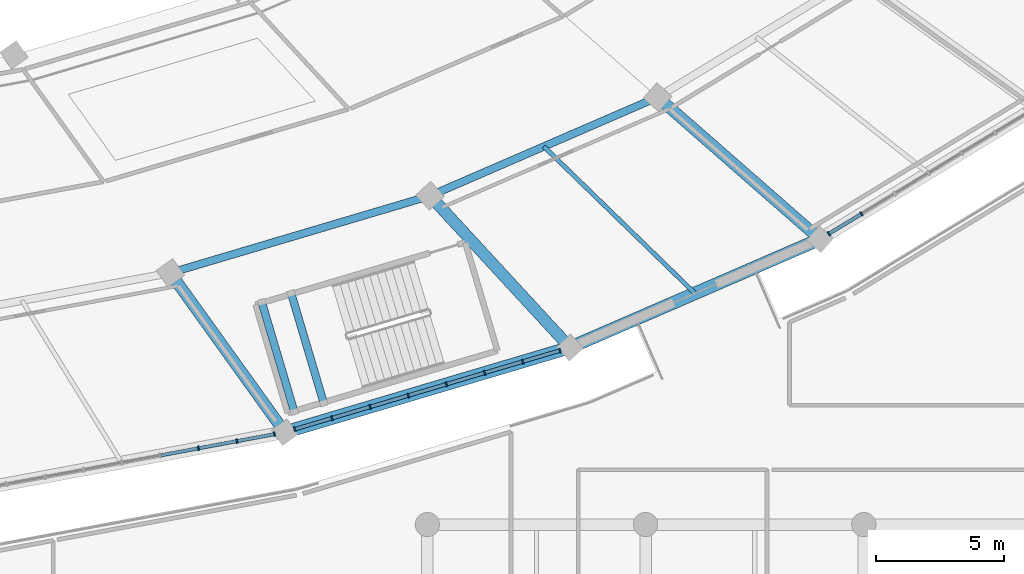
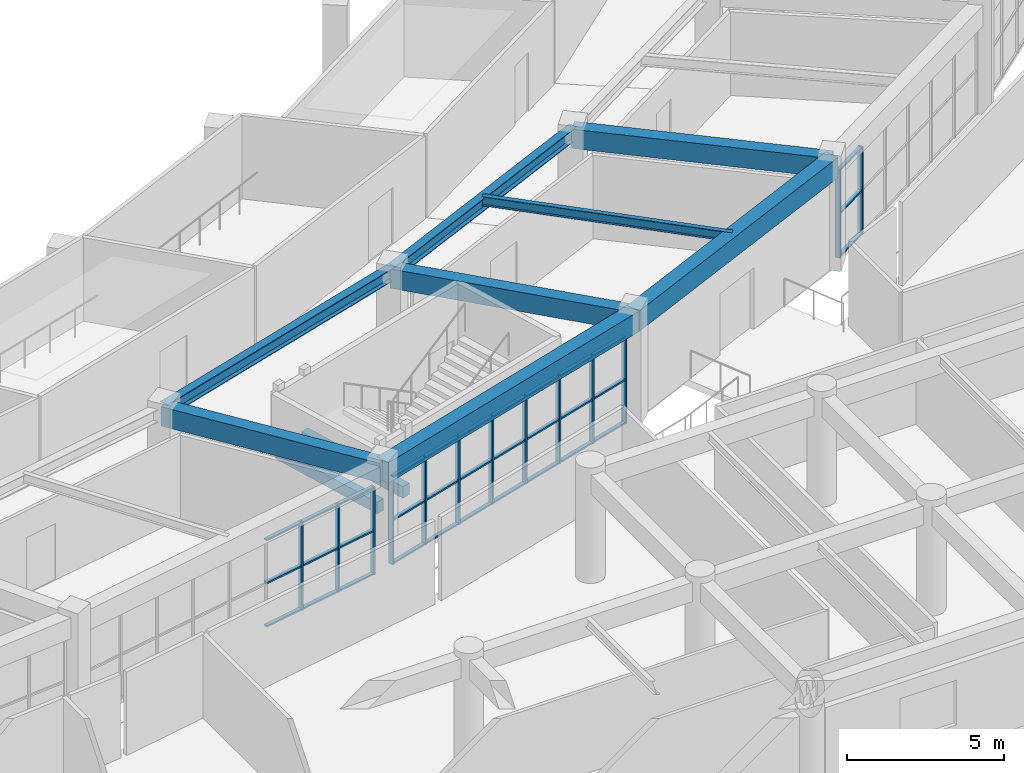
# One storey, part 35 of 141: 46 members, 10 beams, 3 elements without a shape of their own.
"""IFC4 building model written with IfcOpenShell, lengths in metres."""

from ifc_helpers import new_model, si_unit, direction, frame, origin, origin_2d, place, context, subcontext, project, spatial, rectangle, i_section, extrude, material, layer, layer_set, material_profile, profile_set, type_object, element, aggregate, save


model = new_model("IFC4")

# Units and contexts
model_context = context("Model", 3, precision=1e-05, world=origin(), true_north=direction((0.0, 1.0)))
body_context = subcontext(model_context, "Body", "Model", "MODEL_VIEW")
ifc_project = project(units=[si_unit("LENGTHUNIT", "METRE"), si_unit("AREAUNIT", "SQUARE_METRE"), si_unit("VOLUMEUNIT", "CUBIC_METRE"), si_unit("PLANEANGLEUNIT", "RADIAN"), si_unit("MASSUNIT", "GRAM", prefix="KILO")], contexts=[model_context])

# Site, building, storey
site_placement = place(None, origin())
site = spatial("IfcSite", under=ifc_project, at=site_placement, CompositionType="ELEMENT")
building_placement = place(site_placement, origin())
building = spatial("IfcBuilding", under=site, at=building_placement, Name="Mphavela Belvedere Stadium", CompositionType="ELEMENT")
storey_placement = place(building_placement, frame((0.0, 0.0, 14.699951171875)))
storey = spatial("IfcBuildingStorey", under=building, at=storey_placement, Name="L03", CompositionType="ELEMENT", Elevation=14.699951171875)

# Beams
ifc_material_1 = material(Name="Steel S355", Category="steel")
ifc_material_profile_1 = material_profile(ifc_material_1, i_section(OverallWidth=0.169921875, OverallDepth=0.360107421875, WebThickness=0.008056640625, FlangeThickness=0.0126953125, at=origin_2d()), Name="IPE 360")
ifc_profile_set_1 = profile_set([ifc_material_profile_1], Name="Steel S355")
beam_type_1 = type_object("IfcBeamType", Name="BM-JOIST-IPE360", PredefinedType="JOIST", material=ifc_profile_set_1)
beam_1_placement = place(storey_placement, frame((174.918212890625, 28.757568359375, 4.070068359375), z_axis=(0.717067022089, -0.697004222249, 0.0), x_axis=(0.697004222249, 0.717067022089, 0.0)))
element("IfcBeam", 1, at=beam_1_placement, inside=storey, type_object=beam_type_1, Name="Concourse floor joist L03-41", PredefinedType="JOIST", context=body_context, shape_type="SweptSolid", body=[
    extrude(i_section(OverallWidth=0.169921875, OverallDepth=0.360107421875, WebThickness=0.008056640625, FlangeThickness=0.0126953125, at=origin_2d()), origin(), (0.0, 0.0, 1.0), 8.22607421875),
])
ifc_material_2 = material(Name="Concrete C40/50", Category="concrete")
ifc_material_profile_2 = material_profile(ifc_material_2, rectangle(XDim=0.300048828125, YDim=0.449951171875, at=origin_2d()), Name="RC 300x450")
ifc_profile_set_2 = profile_set([ifc_material_profile_2], Name="Concrete C40/50")
beam_type_2 = type_object("IfcBeamType", Name="BM-RC300x450", PredefinedType="BEAM", material=ifc_profile_set_2)
beam_2_placement = place(storey_placement, frame((165.05419921875, 23.027099609375, 1.824951171875), z_axis=(0.284510445837, -0.958672940168, 0.0), x_axis=(0.958672940168, 0.284510445837, 0.0)))
element("IfcBeam", 2, at=beam_2_placement, inside=storey, type_object=beam_type_2, Name="Core P04 landing trimmer beam L03-1", PredefinedType="BEAM", context=body_context, shape_type="SweptSolid", body=[
    extrude(rectangle(XDim=0.300048828125, YDim=0.449951171875, at=origin_2d()), origin(), (0.0, 0.0, 1.0), 4.469970703125),
])
beam_3_placement = place(storey_placement, frame((163.90380859375, 22.685791015625, 1.824951171875), z_axis=(0.284495549112, -0.958677361022, 0.0), x_axis=(0.958677361022, 0.284495549112, 0.0)))
element("IfcBeam", 3, at=beam_3_placement, inside=storey, type_object=beam_type_2, Name="Core P04 landing trimmer beam L03-2", PredefinedType="BEAM", context=body_context, shape_type="SweptSolid", body=[
    extrude(rectangle(XDim=0.300048828125, YDim=0.449951171875, at=origin_2d()), origin(), (0.0, 0.0, 1.0), 4.47021484375),
])
ifc_material_3 = material(Name="Concrete C40/50", Category="concrete")
ifc_material_profile_3 = material_profile(ifc_material_3, rectangle(XDim=0.449951171875, YDim=0.75, at=origin_2d()), Name="RC 450x750")
ifc_profile_set_3 = profile_set([ifc_material_profile_3], Name="Concrete C40/50")
beam_type_3 = type_object("IfcBeamType", Name="BM-RC450x750", PredefinedType="BEAM", material=ifc_profile_set_3)
beam_4_placement = place(storey_placement, frame((160.337890625, 23.822509765625, 3.875), z_axis=(0.583043812448, -0.812440713385, 0.0), x_axis=(0.812440713385, 0.583043812448, 0.0)))
element("IfcBeam", 4, at=beam_4_placement, inside=storey, type_object=beam_type_3, Name="Radial concourse girder L03 R3R4-40", PredefinedType="BEAM", context=body_context, shape_type="SweptSolid", body=[
    extrude(rectangle(XDim=0.449951171875, YDim=0.75, at=origin_2d()), origin(), (0.0, 0.0, 1.0), 7.6552734375),
])
beam_5_placement = place(storey_placement, frame((170.476318359375, 26.83203125, 3.875), z_axis=(0.67784325477, -0.735206448532, 0.0), x_axis=(0.735206448532, 0.67784325477, 0.0)))
element("IfcBeam", 5, at=beam_5_placement, inside=storey, type_object=beam_type_3, Name="Radial concourse girder L03 R3R4-41", PredefinedType="BEAM", context=body_context, shape_type="SweptSolid", body=[
    extrude(rectangle(XDim=0.449951171875, YDim=0.75, at=origin_2d()), origin(), (0.0, 0.0, 1.0), 8.056640625),
])
beam_6_placement = place(storey_placement, frame((179.360107421875, 30.68310546875, 3.875), z_axis=(0.752589268993, -0.658490236978, 0.0), x_axis=(0.658490236978, 0.752589268993, 0.0)))
element("IfcBeam", 6, at=beam_6_placement, inside=storey, type_object=beam_type_3, Name="Radial concourse girder L03 R3R4-42", PredefinedType="BEAM", context=body_context, shape_type="SweptSolid", body=[
    extrude(rectangle(XDim=0.449951171875, YDim=0.75, at=origin_2d()), origin(), (0.0, 0.0, 1.0), 8.419189453125),
])
ifc_material_4 = material(Name="Concrete C40/50", Category="concrete")
ifc_material_profile_4 = material_profile(ifc_material_4, rectangle(XDim=0.5, YDim=0.800048828125, at=origin_2d()), Name="RC 500x800")
ifc_profile_set_4 = profile_set([ifc_material_profile_4], Name="Concrete C40/50")
beam_type_4 = type_object("IfcBeamType", Name="BM-SPANDREL-800", PredefinedType="SPANDREL", material=ifc_profile_set_4)
beam_7_placement = place(storey_placement, frame((164.80126953125, 17.60302734375, 3.85009765625), z_axis=(0.958656362639, 0.284566298727, 0.0), x_axis=(-0.284566298727, 0.958656362639, 0.0)))
element("IfcBeam", 7, at=beam_7_placement, inside=storey, type_object=beam_type_4, Name="Circumferential girder L03 R4-40", PredefinedType="SPANDREL", context=body_context, shape_type="SweptSolid", body=[
    extrude(rectangle(XDim=0.5, YDim=0.800048828125, at=origin_2d()), origin(), (0.0, 0.0, 1.0), 11.616455078125),
])
beam_8_placement = place(storey_placement, frame((175.9375, 20.90869140625, 3.85009765625), z_axis=(0.91749867224, 0.397738842004, 0.0), x_axis=(-0.397738842004, 0.91749867224, 0.0)))
element("IfcBeam", 8, at=beam_8_placement, inside=storey, type_object=beam_type_4, Name="Circumferential girder L03 R4-41", PredefinedType="SPANDREL", context=body_context, shape_type="SweptSolid", body=[
    extrude(rectangle(XDim=0.5, YDim=0.800048828125, at=origin_2d()), origin(), (0.0, 0.0, 1.0), 10.63623046875),
])
ifc_material_5 = material(Name="Steel S355", Category="steel")
ifc_material_profile_5 = material_profile(ifc_material_5, i_section(OverallWidth=0.300048828125, OverallDepth=0.489990234375, WebThickness=0.011962890625, FlangeThickness=0.02294921875, at=origin_2d()), Name="HEA 500")
ifc_profile_set_5 = profile_set([ifc_material_profile_5], Name="Steel S355")
beam_type_5 = type_object("IfcBeamType", Name="BM-STEEL-HEA500", PredefinedType="BEAM", material=ifc_profile_set_5)
beam_9_placement = place(storey_placement, frame((160.337890625, 23.822509765625, 4.005126953125), z_axis=(0.958655230784, 0.284570111731, 0.0), x_axis=(-0.284570111731, 0.958655230784, 0.0)))
element("IfcBeam", 9, at=beam_9_placement, inside=storey, type_object=beam_type_5, Name="Circumferential girder L03 R3-40", PredefinedType="BEAM", context=body_context, shape_type="SweptSolid", body=[
    extrude(i_section(OverallWidth=0.300048828125, OverallDepth=0.489990234375, WebThickness=0.011962890625, FlangeThickness=0.02294921875, at=origin_2d()), origin(), (0.0, 0.0, 1.0), 10.57568359375),
])
beam_10_placement = place(storey_placement, frame((170.476318359375, 26.83203125, 4.005126953125), z_axis=(0.917501650019, 0.397731972832, 0.0), x_axis=(-0.397731972832, 0.917501650019, 0.0)))
element("IfcBeam", 10, at=beam_10_placement, inside=storey, type_object=beam_type_5, Name="Circumferential girder L03 R3-41", PredefinedType="BEAM", context=body_context, shape_type="SweptSolid", body=[
    extrude(i_section(OverallWidth=0.300048828125, OverallDepth=0.489990234375, WebThickness=0.011962890625, FlangeThickness=0.02294921875, at=origin_2d()), origin(), (0.0, 0.0, 1.0), 9.6826171875),
])

# Curtain wall, members
ifc_material_6 = material(Name="Anodised bronze unitised curtain wall framing")
ifc_layer_1 = layer(ifc_material_6, 0.18994140625)
ifc_layer_set_1 = layer_set([ifc_layer_1], Name="Anodised bronze unitised curtain wall framing")
curtain_wall_type_1 = type_object("IfcCurtainWallType", Name="CW-UNIT-03", PredefinedType="USERDEFINED", material=ifc_layer_set_1)
curtain_wall_1_placement = place(storey_placement, origin())
curtain_wall_1 = element("IfcCurtainWall", 11, at=curtain_wall_1_placement, inside=storey, type_object=curtain_wall_type_1, Name="Belvedere colonnade curtain wall L03-39", ObjectType="UNITISED CURTAIN WALL", PredefinedType="USERDEFINED")
ifc_material_7 = material(Name="Anodised bronze extruded aluminium", Category="aluminium")
ifc_material_profile_6 = material_profile(ifc_material_7, rectangle(XDim=0.179931640625, YDim=0.06494140625, at=origin_2d()), Name="CW-MUL 180x65")
ifc_profile_set_6 = profile_set([ifc_material_profile_6], Name="Anodised bronze extruded aluminium")
member_type_1 = type_object("IfcMemberType", Name="CWM-180x65", PredefinedType="MULLION", material=ifc_profile_set_6)
member_1_placement = place(storey_placement, frame((161.435791015625, 16.976318359375, 0.0), z_axis=(0.0, 0.0, 1.0), x_axis=(-0.18308790129, 0.983096546836, 0.0)))
member_1 = element("IfcMember", 12, at=member_1_placement, type_object=member_type_1, Name="CW-03 mullion 7", PredefinedType="MULLION", context=body_context, shape_type="SweptSolid", body=[
    extrude(rectangle(XDim=0.179931640625, YDim=0.06494140625, at=origin_2d()), origin(), (0.0, 0.0, 1.0), 3.420166015625),
])
member_2_placement = place(storey_placement, frame((162.93505859375, 17.255615234375, 0.0), z_axis=(0.0, 0.0, 1.0), x_axis=(-0.18308790129, 0.983096546836, 0.0)))
member_2 = element("IfcMember", 13, at=member_2_placement, type_object=member_type_1, Name="CW-03 mullion 8", PredefinedType="MULLION", context=body_context, shape_type="SweptSolid", body=[
    extrude(rectangle(XDim=0.179931640625, YDim=0.06494140625, at=origin_2d()), origin(), (0.0, 0.0, 1.0), 3.420166015625),
])
member_3_placement = place(storey_placement, frame((164.402587890625, 17.52880859375, 0.0), z_axis=(0.0, 0.0, 1.0), x_axis=(-0.18308790129, 0.983096546836, 0.0)))
member_3 = element("IfcMember", 14, at=member_3_placement, type_object=member_type_1, Name="CW-03 mullion 9", PredefinedType="MULLION", context=body_context, shape_type="SweptSolid", body=[
    extrude(rectangle(XDim=0.179931640625, YDim=0.06494140625, at=origin_2d()), origin(), (0.0, 0.0, 1.0), 3.420166015625),
])

ifc_material_8 = material(Name="Anodised bronze unitised curtain wall framing")
ifc_layer_2 = layer(ifc_material_8, 0.195068359375)
ifc_layer_set_2 = layer_set([ifc_layer_2], Name="Anodised bronze unitised curtain wall framing")
curtain_wall_type_2 = type_object("IfcCurtainWallType", Name="CW-UNIT-04", PredefinedType="USERDEFINED", material=ifc_layer_set_2)
curtain_wall_2_placement = place(storey_placement, origin())
curtain_wall_2 = element("IfcCurtainWall", 15, at=curtain_wall_2_placement, inside=storey, type_object=curtain_wall_type_2, Name="Belvedere colonnade curtain wall L03-40", ObjectType="UNITISED CURTAIN WALL", PredefinedType="USERDEFINED")
member_4_placement = place(storey_placement, frame((165.18994140625, 17.718505859375, 0.0), z_axis=(0.0, 0.0, 1.0), x_axis=(-0.284565000591, 0.958656747975, 0.0)))
member_4 = element("IfcMember", 16, at=member_4_placement, type_object=member_type_1, Name="CW-04 mullion 1", PredefinedType="MULLION", context=body_context, shape_type="SweptSolid", body=[
    extrude(rectangle(XDim=0.179931640625, YDim=0.06494140625, at=origin_2d()), origin(), (0.0, 0.0, 1.0), 3.420166015625),
])
member_5_placement = place(storey_placement, frame((166.6474609375, 18.151123046875, 0.0), z_axis=(0.0, 0.0, 1.0), x_axis=(-0.284565000591, 0.958656747975, 0.0)))
member_5 = element("IfcMember", 17, at=member_5_placement, type_object=member_type_1, Name="CW-04 mullion 2", PredefinedType="MULLION", context=body_context, shape_type="SweptSolid", body=[
    extrude(rectangle(XDim=0.179931640625, YDim=0.06494140625, at=origin_2d()), origin(), (0.0, 0.0, 1.0), 3.420166015625),
])
member_6_placement = place(storey_placement, frame((168.13623046875, 18.593017578125, 0.0), z_axis=(0.0, 0.0, 1.0), x_axis=(-0.284565000591, 0.958656747975, 0.0)))
member_6 = element("IfcMember", 18, at=member_6_placement, type_object=member_type_1, Name="CW-04 mullion 3", PredefinedType="MULLION", context=body_context, shape_type="SweptSolid", body=[
    extrude(rectangle(XDim=0.179931640625, YDim=0.06494140625, at=origin_2d()), origin(), (0.0, 0.0, 1.0), 3.420166015625),
])
member_7_placement = place(storey_placement, frame((169.625, 19.034912109375, 0.0), z_axis=(0.0, 0.0, 1.0), x_axis=(-0.284565000591, 0.958656747975, 0.0)))
member_7 = element("IfcMember", 19, at=member_7_placement, type_object=member_type_1, Name="CW-04 mullion 4", PredefinedType="MULLION", context=body_context, shape_type="SweptSolid", body=[
    extrude(rectangle(XDim=0.179931640625, YDim=0.06494140625, at=origin_2d()), origin(), (0.0, 0.0, 1.0), 3.420166015625),
])
member_8_placement = place(storey_placement, frame((171.11376953125, 19.476806640625, 0.0), z_axis=(0.0, 0.0, 1.0), x_axis=(-0.284565000591, 0.958656747975, 0.0)))
member_8 = element("IfcMember", 20, at=member_8_placement, type_object=member_type_1, Name="CW-04 mullion 5", PredefinedType="MULLION", context=body_context, shape_type="SweptSolid", body=[
    extrude(rectangle(XDim=0.179931640625, YDim=0.06494140625, at=origin_2d()), origin(), (0.0, 0.0, 1.0), 3.420166015625),
])
member_9_placement = place(storey_placement, frame((172.6025390625, 19.918701171875, 0.0), z_axis=(0.0, 0.0, 1.0), x_axis=(-0.284565000591, 0.958656747975, 0.0)))
member_9 = element("IfcMember", 21, at=member_9_placement, type_object=member_type_1, Name="CW-04 mullion 6", PredefinedType="MULLION", context=body_context, shape_type="SweptSolid", body=[
    extrude(rectangle(XDim=0.179931640625, YDim=0.06494140625, at=origin_2d()), origin(), (0.0, 0.0, 1.0), 3.420166015625),
])
member_10_placement = place(storey_placement, frame((174.09130859375, 20.360595703125, 0.0), z_axis=(0.0, 0.0, 1.0), x_axis=(-0.284565000591, 0.958656747975, 0.0)))
member_10 = element("IfcMember", 22, at=member_10_placement, type_object=member_type_1, Name="CW-04 mullion 7", PredefinedType="MULLION", context=body_context, shape_type="SweptSolid", body=[
    extrude(rectangle(XDim=0.179931640625, YDim=0.06494140625, at=origin_2d()), origin(), (0.0, 0.0, 1.0), 3.420166015625),
])
member_11_placement = place(storey_placement, frame((175.548828125, 20.79345703125, 0.0), z_axis=(0.0, 0.0, 1.0), x_axis=(-0.284565000591, 0.958656747975, 0.0)))
member_11 = element("IfcMember", 23, at=member_11_placement, type_object=member_type_1, Name="CW-04 mullion 8", PredefinedType="MULLION", context=body_context, shape_type="SweptSolid", body=[
    extrude(rectangle(XDim=0.179931640625, YDim=0.06494140625, at=origin_2d()), origin(), (0.0, 0.0, 1.0), 3.420166015625),
])

ifc_material_9 = material(Name="Anodised bronze unitised curtain wall framing")
ifc_layer_3 = layer(ifc_material_9, 0.199951171875)
ifc_layer_set_3 = layer_set([ifc_layer_3], Name="Anodised bronze unitised curtain wall framing")
curtain_wall_type_3 = type_object("IfcCurtainWallType", Name="CW-UNIT-05", PredefinedType="USERDEFINED", material=ifc_layer_set_3)
curtain_wall_3_placement = place(storey_placement, origin())
curtain_wall_3 = element("IfcCurtainWall", 24, at=curtain_wall_3_placement, inside=storey, type_object=curtain_wall_type_3, Name="Belvedere colonnade curtain wall L03-42", ObjectType="UNITISED CURTAIN WALL", PredefinedType="USERDEFINED")
member_12_placement = place(storey_placement, frame((186.042724609375, 25.349853515625, 0.0), z_axis=(0.0, 0.0, 1.0), x_axis=(-0.519738342169, 0.8543254975, 0.0)))
member_12 = element("IfcMember", 25, at=member_12_placement, type_object=member_type_1, Name="CW-05 mullion 1", PredefinedType="MULLION", context=body_context, shape_type="SweptSolid", body=[
    extrude(rectangle(XDim=0.179931640625, YDim=0.06494140625, at=origin_2d()), origin(), (0.0, 0.0, 1.0), 3.420166015625),
])
member_13_placement = place(storey_placement, frame((187.318603515625, 26.126220703125, 0.0), z_axis=(0.0, 0.0, 1.0), x_axis=(-0.519738342169, 0.8543254975, 0.0)))
member_13 = element("IfcMember", 26, at=member_13_placement, type_object=member_type_1, Name="CW-05 mullion 2", PredefinedType="MULLION", context=body_context, shape_type="SweptSolid", body=[
    extrude(rectangle(XDim=0.179931640625, YDim=0.06494140625, at=origin_2d()), origin(), (0.0, 0.0, 1.0), 3.420166015625),
])

# Member
ifc_material_10 = material(Name="Anodised bronze extruded aluminium", Category="aluminium")
ifc_material_profile_7 = material_profile(ifc_material_10, rectangle(XDim=0.139892578125, YDim=0.06005859375, at=origin_2d()), Name="CW-TRN 140x60")
ifc_profile_set_7 = profile_set([ifc_material_profile_7], Name="Anodised bronze extruded aluminium")
member_type_2 = type_object("IfcMemberType", Name="CWT-140x60", PredefinedType="USERDEFINED", material=ifc_profile_set_7)
member_14_placement = place(storey_placement, frame((159.96826171875, 16.703125, 0.030029296875), z_axis=(0.983098571421, 0.183077029882, 0.0), x_axis=(-0.183077029882, 0.983098571421, 0.0)))
member_14 = element("IfcMember", 27, at=member_14_placement, type_object=member_type_2, Name="CW-03 transom 6.1", ObjectType="TRANSOM", PredefinedType="USERDEFINED", context=body_context, shape_type="SweptSolid", body=[
    extrude(rectangle(XDim=0.139892578125, YDim=0.06005859375, at=origin_2d()), origin(), (0.0, 0.0, 1.0), 1.460205078125),
])

member_15_placement = place(storey_placement, frame((159.96826171875, 16.703125, 1.7099609375), z_axis=(0.983098571421, 0.183077029882, 0.0), x_axis=(-0.183077029882, 0.983098571421, 0.0)))
member_15 = element("IfcMember", 28, at=member_15_placement, type_object=member_type_2, Name="CW-03 transom 6.2", ObjectType="TRANSOM", PredefinedType="USERDEFINED", context=body_context, shape_type="SweptSolid", body=[
    extrude(rectangle(XDim=0.139892578125, YDim=0.06005859375, at=origin_2d()), origin(), (0.0, 0.0, 1.0), 1.460205078125),
])

member_16_placement = place(storey_placement, frame((159.96826171875, 16.703125, 3.39013671875), z_axis=(0.983098571421, 0.183077029882, 0.0), x_axis=(-0.183077029882, 0.983098571421, 0.0)))
member_16 = element("IfcMember", 29, at=member_16_placement, type_object=member_type_2, Name="CW-03 transom 6.3", ObjectType="TRANSOM", PredefinedType="USERDEFINED", context=body_context, shape_type="SweptSolid", body=[
    extrude(rectangle(XDim=0.139892578125, YDim=0.06005859375, at=origin_2d()), origin(), (0.0, 0.0, 1.0), 1.460205078125),
])

member_17_placement = place(storey_placement, frame((161.4677734375, 16.982177734375, 0.030029296875), z_axis=(0.983092966177, 0.183107126716, 0.0), x_axis=(-0.183107126716, 0.983092966177, 0.0)))
member_17 = element("IfcMember", 30, at=member_17_placement, type_object=member_type_2, Name="CW-03 transom 7.1", ObjectType="TRANSOM", PredefinedType="USERDEFINED", context=body_context, shape_type="SweptSolid", body=[
    extrude(rectangle(XDim=0.139892578125, YDim=0.06005859375, at=origin_2d()), origin(), (0.0, 0.0, 1.0), 1.4599609375),
])

member_18_placement = place(storey_placement, frame((161.4677734375, 16.982177734375, 1.7099609375), z_axis=(0.983092966177, 0.183107126716, 0.0), x_axis=(-0.183107126716, 0.983092966177, 0.0)))
member_18 = element("IfcMember", 31, at=member_18_placement, type_object=member_type_2, Name="CW-03 transom 7.2", ObjectType="TRANSOM", PredefinedType="USERDEFINED", context=body_context, shape_type="SweptSolid", body=[
    extrude(rectangle(XDim=0.139892578125, YDim=0.06005859375, at=origin_2d()), origin(), (0.0, 0.0, 1.0), 1.4599609375),
])

member_19_placement = place(storey_placement, frame((161.4677734375, 16.982177734375, 3.39013671875), z_axis=(0.983092966177, 0.183107126716, 0.0), x_axis=(-0.183107126716, 0.983092966177, 0.0)))
member_19 = element("IfcMember", 32, at=member_19_placement, type_object=member_type_2, Name="CW-03 transom 7.3", ObjectType="TRANSOM", PredefinedType="USERDEFINED", context=body_context, shape_type="SweptSolid", body=[
    extrude(rectangle(XDim=0.139892578125, YDim=0.06005859375, at=origin_2d()), origin(), (0.0, 0.0, 1.0), 1.4599609375),
])

member_20_placement = place(storey_placement, frame((162.967041015625, 17.261474609375, 0.030029296875), z_axis=(0.983086399659, 0.183142378507, 0.0), x_axis=(-0.183142378507, 0.983086399659, 0.0)))
member_20 = element("IfcMember", 33, at=member_20_placement, type_object=member_type_2, Name="CW-03 transom 8.1", ObjectType="TRANSOM", PredefinedType="USERDEFINED", context=body_context, shape_type="SweptSolid", body=[
    extrude(rectangle(XDim=0.139892578125, YDim=0.06005859375, at=origin_2d()), origin(), (0.0, 0.0, 1.0), 1.427734375),
])

member_21_placement = place(storey_placement, frame((162.967041015625, 17.261474609375, 1.7099609375), z_axis=(0.983086399659, 0.183142378507, 0.0), x_axis=(-0.183142378507, 0.983086399659, 0.0)))
member_21 = element("IfcMember", 34, at=member_21_placement, type_object=member_type_2, Name="CW-03 transom 8.2", ObjectType="TRANSOM", PredefinedType="USERDEFINED", context=body_context, shape_type="SweptSolid", body=[
    extrude(rectangle(XDim=0.139892578125, YDim=0.06005859375, at=origin_2d()), origin(), (0.0, 0.0, 1.0), 1.427734375),
])

member_22_placement = place(storey_placement, frame((162.967041015625, 17.261474609375, 3.39013671875), z_axis=(0.983086399659, 0.183142378507, 0.0), x_axis=(-0.183142378507, 0.983086399659, 0.0)))
member_22 = element("IfcMember", 35, at=member_22_placement, type_object=member_type_2, Name="CW-03 transom 8.3", ObjectType="TRANSOM", PredefinedType="USERDEFINED", context=body_context, shape_type="SweptSolid", body=[
    extrude(rectangle(XDim=0.139892578125, YDim=0.06005859375, at=origin_2d()), origin(), (0.0, 0.0, 1.0), 1.427734375),
])

aggregate(curtain_wall_1, [member_1, member_2, member_3, member_14, member_15, member_16, member_17, member_18, member_19, member_20, member_21, member_22])

member_23_placement = place(storey_placement, frame((165.22119140625, 17.727783203125, 0.030029296875), z_axis=(0.958676180284, 0.284499527867, 0.0), x_axis=(-0.284499527867, 0.958676180284, 0.0)))
member_23 = element("IfcMember", 36, at=member_23_placement, type_object=member_type_2, Name="CW-04 transom 1.1", ObjectType="TRANSOM", PredefinedType="USERDEFINED", context=body_context, shape_type="SweptSolid", body=[
    extrude(rectangle(XDim=0.139892578125, YDim=0.06005859375, at=origin_2d()), origin(), (0.0, 0.0, 1.0), 1.455322265625),
])

member_24_placement = place(storey_placement, frame((165.22119140625, 17.727783203125, 1.7099609375), z_axis=(0.958676180284, 0.284499527867, 0.0), x_axis=(-0.284499527867, 0.958676180284, 0.0)))
member_24 = element("IfcMember", 37, at=member_24_placement, type_object=member_type_2, Name="CW-04 transom 1.2", ObjectType="TRANSOM", PredefinedType="USERDEFINED", context=body_context, shape_type="SweptSolid", body=[
    extrude(rectangle(XDim=0.139892578125, YDim=0.06005859375, at=origin_2d()), origin(), (0.0, 0.0, 1.0), 1.455322265625),
])

member_25_placement = place(storey_placement, frame((165.22119140625, 17.727783203125, 3.39013671875), z_axis=(0.958676180284, 0.284499527867, 0.0), x_axis=(-0.284499527867, 0.958676180284, 0.0)))
member_25 = element("IfcMember", 38, at=member_25_placement, type_object=member_type_2, Name="CW-04 transom 1.3", ObjectType="TRANSOM", PredefinedType="USERDEFINED", context=body_context, shape_type="SweptSolid", body=[
    extrude(rectangle(XDim=0.139892578125, YDim=0.06005859375, at=origin_2d()), origin(), (0.0, 0.0, 1.0), 1.455322265625),
])

member_26_placement = place(storey_placement, frame((166.6787109375, 18.160400390625, 0.030029296875), z_axis=(0.958675538205, 0.284501691468, 0.0), x_axis=(-0.284501691468, 0.958675538205, 0.0)))
member_26 = element("IfcMember", 39, at=member_26_placement, type_object=member_type_2, Name="CW-04 transom 2.1", ObjectType="TRANSOM", PredefinedType="USERDEFINED", context=body_context, shape_type="SweptSolid", body=[
    extrude(rectangle(XDim=0.139892578125, YDim=0.06005859375, at=origin_2d()), origin(), (0.0, 0.0, 1.0), 1.488037109375),
])

member_27_placement = place(storey_placement, frame((166.6787109375, 18.160400390625, 1.7099609375), z_axis=(0.958675538205, 0.284501691468, 0.0), x_axis=(-0.284501691468, 0.958675538205, 0.0)))
member_27 = element("IfcMember", 40, at=member_27_placement, type_object=member_type_2, Name="CW-04 transom 2.2", ObjectType="TRANSOM", PredefinedType="USERDEFINED", context=body_context, shape_type="SweptSolid", body=[
    extrude(rectangle(XDim=0.139892578125, YDim=0.06005859375, at=origin_2d()), origin(), (0.0, 0.0, 1.0), 1.488037109375),
])

member_28_placement = place(storey_placement, frame((166.6787109375, 18.160400390625, 3.39013671875), z_axis=(0.958675538205, 0.284501691468, 0.0), x_axis=(-0.284501691468, 0.958675538205, 0.0)))
member_28 = element("IfcMember", 41, at=member_28_placement, type_object=member_type_2, Name="CW-04 transom 2.3", ObjectType="TRANSOM", PredefinedType="USERDEFINED", context=body_context, shape_type="SweptSolid", body=[
    extrude(rectangle(XDim=0.139892578125, YDim=0.06005859375, at=origin_2d()), origin(), (0.0, 0.0, 1.0), 1.488037109375),
])

member_29_placement = place(storey_placement, frame((168.16748046875, 18.602294921875, 0.030029296875), z_axis=(0.958675538205, 0.284501691468, 0.0), x_axis=(-0.284501691468, 0.958675538205, 0.0)))
member_29 = element("IfcMember", 42, at=member_29_placement, type_object=member_type_2, Name="CW-04 transom 3.1", ObjectType="TRANSOM", PredefinedType="USERDEFINED", context=body_context, shape_type="SweptSolid", body=[
    extrude(rectangle(XDim=0.139892578125, YDim=0.06005859375, at=origin_2d()), origin(), (0.0, 0.0, 1.0), 1.488037109375),
])

member_30_placement = place(storey_placement, frame((168.16748046875, 18.602294921875, 1.7099609375), z_axis=(0.958675538205, 0.284501691468, 0.0), x_axis=(-0.284501691468, 0.958675538205, 0.0)))
member_30 = element("IfcMember", 43, at=member_30_placement, type_object=member_type_2, Name="CW-04 transom 3.2", ObjectType="TRANSOM", PredefinedType="USERDEFINED", context=body_context, shape_type="SweptSolid", body=[
    extrude(rectangle(XDim=0.139892578125, YDim=0.06005859375, at=origin_2d()), origin(), (0.0, 0.0, 1.0), 1.488037109375),
])

member_31_placement = place(storey_placement, frame((168.16748046875, 18.602294921875, 3.39013671875), z_axis=(0.958675538205, 0.284501691468, 0.0), x_axis=(-0.284501691468, 0.958675538205, 0.0)))
member_31 = element("IfcMember", 44, at=member_31_placement, type_object=member_type_2, Name="CW-04 transom 3.3", ObjectType="TRANSOM", PredefinedType="USERDEFINED", context=body_context, shape_type="SweptSolid", body=[
    extrude(rectangle(XDim=0.139892578125, YDim=0.06005859375, at=origin_2d()), origin(), (0.0, 0.0, 1.0), 1.488037109375),
])

member_32_placement = place(storey_placement, frame((169.65625, 19.044189453125, 0.030029296875), z_axis=(0.958662254845, 0.284546448117, 0.0), x_axis=(-0.284546448117, 0.958662254845, 0.0)))
member_32 = element("IfcMember", 45, at=member_32_placement, type_object=member_type_2, Name="CW-04 transom 4.1", ObjectType="TRANSOM", PredefinedType="USERDEFINED", context=body_context, shape_type="SweptSolid", body=[
    extrude(rectangle(XDim=0.139892578125, YDim=0.06005859375, at=origin_2d()), origin(), (0.0, 0.0, 1.0), 1.48779296875),
])

member_33_placement = place(storey_placement, frame((169.65625, 19.044189453125, 1.7099609375), z_axis=(0.958662254845, 0.284546448117, 0.0), x_axis=(-0.284546448117, 0.958662254845, 0.0)))
member_33 = element("IfcMember", 46, at=member_33_placement, type_object=member_type_2, Name="CW-04 transom 4.2", ObjectType="TRANSOM", PredefinedType="USERDEFINED", context=body_context, shape_type="SweptSolid", body=[
    extrude(rectangle(XDim=0.139892578125, YDim=0.06005859375, at=origin_2d()), origin(), (0.0, 0.0, 1.0), 1.48779296875),
])

member_34_placement = place(storey_placement, frame((169.65625, 19.044189453125, 3.39013671875), z_axis=(0.958662254845, 0.284546448117, 0.0), x_axis=(-0.284546448117, 0.958662254845, 0.0)))
member_34 = element("IfcMember", 47, at=member_34_placement, type_object=member_type_2, Name="CW-04 transom 4.3", ObjectType="TRANSOM", PredefinedType="USERDEFINED", context=body_context, shape_type="SweptSolid", body=[
    extrude(rectangle(XDim=0.139892578125, YDim=0.06005859375, at=origin_2d()), origin(), (0.0, 0.0, 1.0), 1.48779296875),
])

member_35_placement = place(storey_placement, frame((171.14501953125, 19.486083984375, 0.030029296875), z_axis=(0.958662254845, 0.284546448117, 0.0), x_axis=(-0.284546448117, 0.958662254845, 0.0)))
member_35 = element("IfcMember", 48, at=member_35_placement, type_object=member_type_2, Name="CW-04 transom 5.1", ObjectType="TRANSOM", PredefinedType="USERDEFINED", context=body_context, shape_type="SweptSolid", body=[
    extrude(rectangle(XDim=0.139892578125, YDim=0.06005859375, at=origin_2d()), origin(), (0.0, 0.0, 1.0), 1.48779296875),
])

member_36_placement = place(storey_placement, frame((171.14501953125, 19.486083984375, 1.7099609375), z_axis=(0.958662254845, 0.284546448117, 0.0), x_axis=(-0.284546448117, 0.958662254845, 0.0)))
member_36 = element("IfcMember", 49, at=member_36_placement, type_object=member_type_2, Name="CW-04 transom 5.2", ObjectType="TRANSOM", PredefinedType="USERDEFINED", context=body_context, shape_type="SweptSolid", body=[
    extrude(rectangle(XDim=0.139892578125, YDim=0.06005859375, at=origin_2d()), origin(), (0.0, 0.0, 1.0), 1.48779296875),
])

member_37_placement = place(storey_placement, frame((171.14501953125, 19.486083984375, 3.39013671875), z_axis=(0.958662254845, 0.284546448117, 0.0), x_axis=(-0.284546448117, 0.958662254845, 0.0)))
member_37 = element("IfcMember", 50, at=member_37_placement, type_object=member_type_2, Name="CW-04 transom 5.3", ObjectType="TRANSOM", PredefinedType="USERDEFINED", context=body_context, shape_type="SweptSolid", body=[
    extrude(rectangle(XDim=0.139892578125, YDim=0.06005859375, at=origin_2d()), origin(), (0.0, 0.0, 1.0), 1.48779296875),
])

member_38_placement = place(storey_placement, frame((172.6337890625, 19.927978515625, 0.030029296875), z_axis=(0.958662254845, 0.284546448117, 0.0), x_axis=(-0.284546448117, 0.958662254845, 0.0)))
member_38 = element("IfcMember", 51, at=member_38_placement, type_object=member_type_2, Name="CW-04 transom 6.1", ObjectType="TRANSOM", PredefinedType="USERDEFINED", context=body_context, shape_type="SweptSolid", body=[
    extrude(rectangle(XDim=0.139892578125, YDim=0.06005859375, at=origin_2d()), origin(), (0.0, 0.0, 1.0), 1.48779296875),
])

member_39_placement = place(storey_placement, frame((172.6337890625, 19.927978515625, 1.7099609375), z_axis=(0.958662254845, 0.284546448117, 0.0), x_axis=(-0.284546448117, 0.958662254845, 0.0)))
member_39 = element("IfcMember", 52, at=member_39_placement, type_object=member_type_2, Name="CW-04 transom 6.2", ObjectType="TRANSOM", PredefinedType="USERDEFINED", context=body_context, shape_type="SweptSolid", body=[
    extrude(rectangle(XDim=0.139892578125, YDim=0.06005859375, at=origin_2d()), origin(), (0.0, 0.0, 1.0), 1.48779296875),
])

member_40_placement = place(storey_placement, frame((172.6337890625, 19.927978515625, 3.39013671875), z_axis=(0.958662254845, 0.284546448117, 0.0), x_axis=(-0.284546448117, 0.958662254845, 0.0)))
member_40 = element("IfcMember", 53, at=member_40_placement, type_object=member_type_2, Name="CW-04 transom 6.3", ObjectType="TRANSOM", PredefinedType="USERDEFINED", context=body_context, shape_type="SweptSolid", body=[
    extrude(rectangle(XDim=0.139892578125, YDim=0.06005859375, at=origin_2d()), origin(), (0.0, 0.0, 1.0), 1.48779296875),
])

member_41_placement = place(storey_placement, frame((174.122314453125, 20.369873046875, 0.030029296875), z_axis=(0.958630418167, 0.284653686724, 0.0), x_axis=(-0.284653686724, 0.958630418167, 0.0)))
member_41 = element("IfcMember", 54, at=member_41_placement, type_object=member_type_2, Name="CW-04 transom 7.1", ObjectType="TRANSOM", PredefinedType="USERDEFINED", context=body_context, shape_type="SweptSolid", body=[
    extrude(rectangle(XDim=0.139892578125, YDim=0.06005859375, at=origin_2d()), origin(), (0.0, 0.0, 1.0), 1.45556640625),
])

member_42_placement = place(storey_placement, frame((174.122314453125, 20.369873046875, 1.7099609375), z_axis=(0.958630418167, 0.284653686724, 0.0), x_axis=(-0.284653686724, 0.958630418167, 0.0)))
member_42 = element("IfcMember", 55, at=member_42_placement, type_object=member_type_2, Name="CW-04 transom 7.2", ObjectType="TRANSOM", PredefinedType="USERDEFINED", context=body_context, shape_type="SweptSolid", body=[
    extrude(rectangle(XDim=0.139892578125, YDim=0.06005859375, at=origin_2d()), origin(), (0.0, 0.0, 1.0), 1.45556640625),
])

member_43_placement = place(storey_placement, frame((174.122314453125, 20.369873046875, 3.39013671875), z_axis=(0.958630418167, 0.284653686724, 0.0), x_axis=(-0.284653686724, 0.958630418167, 0.0)))
member_43 = element("IfcMember", 56, at=member_43_placement, type_object=member_type_2, Name="CW-04 transom 7.3", ObjectType="TRANSOM", PredefinedType="USERDEFINED", context=body_context, shape_type="SweptSolid", body=[
    extrude(rectangle(XDim=0.139892578125, YDim=0.06005859375, at=origin_2d()), origin(), (0.0, 0.0, 1.0), 1.45556640625),
])

aggregate(curtain_wall_2, [member_4, member_5, member_6, member_7, member_8, member_9, member_10, member_11, member_23, member_24, member_25, member_26, member_27, member_28, member_29, member_30, member_31, member_32, member_33, member_34, member_35, member_36, member_37, member_38, member_39, member_40, member_41, member_42, member_43])

member_44_placement = place(storey_placement, frame((186.0703125, 25.36669921875, 0.030029296875), z_axis=(0.854340431613, 0.519713793266, 0.0), x_axis=(-0.519713793266, 0.854340431613, 0.0)))
member_44 = element("IfcMember", 57, at=member_44_placement, type_object=member_type_2, Name="CW-05 transom 1.1", ObjectType="TRANSOM", PredefinedType="USERDEFINED", context=body_context, shape_type="SweptSolid", body=[
    extrude(rectangle(XDim=0.139892578125, YDim=0.06005859375, at=origin_2d()), origin(), (0.0, 0.0, 1.0), 1.428466796875),
])

member_45_placement = place(storey_placement, frame((186.0703125, 25.36669921875, 1.7099609375), z_axis=(0.854340431613, 0.519713793266, 0.0), x_axis=(-0.519713793266, 0.854340431613, 0.0)))
member_45 = element("IfcMember", 58, at=member_45_placement, type_object=member_type_2, Name="CW-05 transom 1.2", ObjectType="TRANSOM", PredefinedType="USERDEFINED", context=body_context, shape_type="SweptSolid", body=[
    extrude(rectangle(XDim=0.139892578125, YDim=0.06005859375, at=origin_2d()), origin(), (0.0, 0.0, 1.0), 1.428466796875),
])

member_46_placement = place(storey_placement, frame((186.0703125, 25.36669921875, 3.39013671875), z_axis=(0.854340431613, 0.519713793266, 0.0), x_axis=(-0.519713793266, 0.854340431613, 0.0)))
member_46 = element("IfcMember", 59, at=member_46_placement, type_object=member_type_2, Name="CW-05 transom 1.3", ObjectType="TRANSOM", PredefinedType="USERDEFINED", context=body_context, shape_type="SweptSolid", body=[
    extrude(rectangle(XDim=0.139892578125, YDim=0.06005859375, at=origin_2d()), origin(), (0.0, 0.0, 1.0), 1.428466796875),
])

aggregate(curtain_wall_3, [member_12, member_13, member_44, member_45, member_46])

save(model, "model.ifc")
